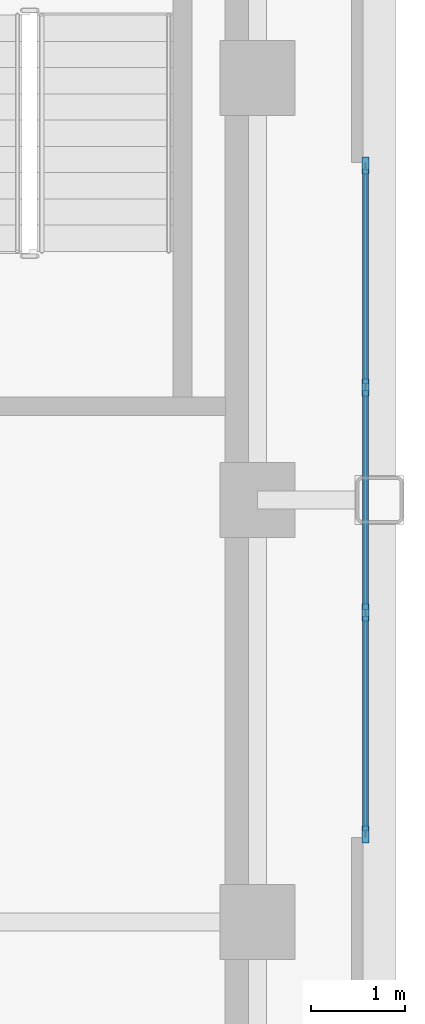
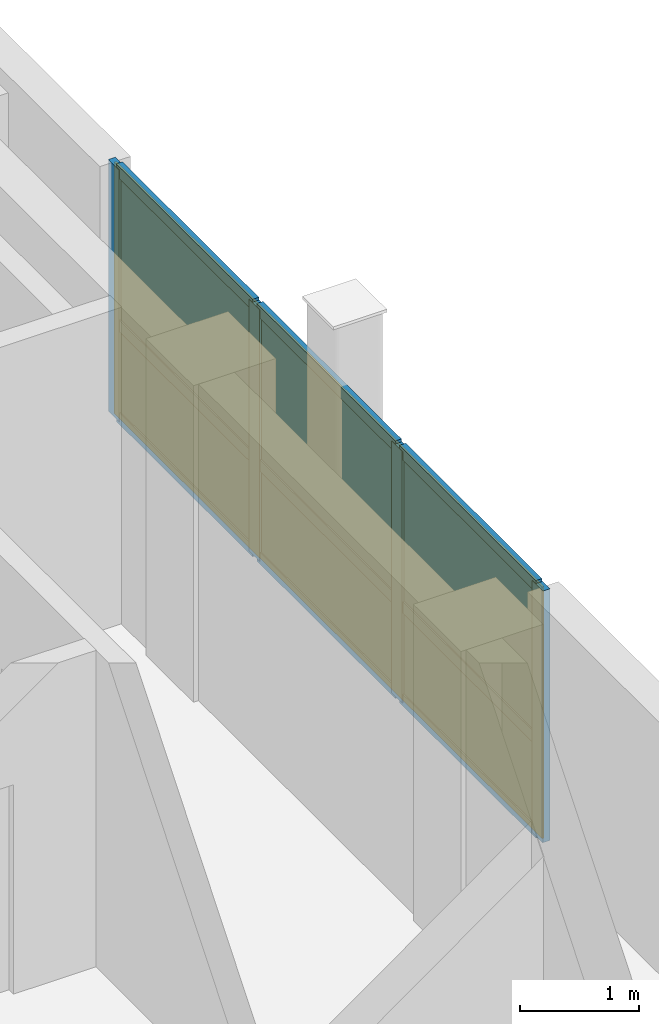
# One storey, part 10 of 15: 13 members, 6 plates, 1 curtain wall.
"""IFC4 building model written with IfcOpenShell, lengths in metres."""

import ifcopenshell
import ifcopenshell.guid

model = None  # the IFC model being written
_history = None  # IfcOwnerHistory: only IFC2X3 demands one
_inside = {}  # id of a spatial element -> (the spatial element, [elements in it])
_under = {}  # id of a project, library or spatial element -> (it, [spatial elements below it])
_declared = {}  # id of a project -> (the project, [libraries it declares])
_typed = {}  # id of a type object -> (the type object, [elements of that type])
_made_of = {}  # id of a material, layer set ... -> (it, [elements and type objects made of it])


def new_model(schema):
    """Start an empty IFC model of exactly this schema.

    Asked for "IFC4X3", IfcOpenShell would pick the latest addendum, in which some entities
    have other attributes; the version numbers below select the first issue.
    IFC2X3 requires an IfcOwnerHistory on every rooted entity: one is made here for all.
    """
    global model, _history
    if schema == "IFC4X3":
        model = ifcopenshell.file(schema_version=(4, 3, 0, 0))
    else:
        model = ifcopenshell.file(schema=schema)
    _inside.clear()
    _under.clear()
    _declared.clear()
    _typed.clear()
    _made_of.clear()
    _history = None
    if model.schema == "IFC2X3":
        org = make("IfcOrganization", Name="unknown")
        user = make(
            "IfcPersonAndOrganization",
            ThePerson=make("IfcPerson", FamilyName="unknown"),
            TheOrganization=org,
        )
        app = make(
            "IfcApplication",
            ApplicationDeveloper=org,
            Version="unknown",
            ApplicationFullName="unknown",
            ApplicationIdentifier="unknown",
        )
        _history = make(
            "IfcOwnerHistory",
            OwningUser=user,
            OwningApplication=app,
            ChangeAction="ADDED",
            CreationDate=0,
        )
    return model


def make(cls, **values):
    """One entity of the class cls with the attributes given. An attribute that is None is left unset."""
    return model.create_entity(
        cls, **{name: value for name, value in values.items() if value is not None}
    )


def rooted(cls, **values):
    """An entity with a GlobalId (a new one), such as an element, a storey or a relation."""
    return make(cls, GlobalId=ifcopenshell.guid.new(), OwnerHistory=_history, **values)


def si_unit(unit_type, name, prefix=None):
    """IfcSIUnit, for example si_unit("LENGTHUNIT", "METRE", prefix="MILLI")."""
    return make("IfcSIUnit", UnitType=unit_type, Prefix=prefix, Name=name)


def assignment(units):
    """IfcUnitAssignment: the units of a project."""
    return None if units is None else make("IfcUnitAssignment", Units=units)


def point(xyz):
    """IfcCartesianPoint."""
    return None if xyz is None else make("IfcCartesianPoint", Coordinates=xyz)


def direction(xyz):
    """IfcDirection."""
    return None if xyz is None else make("IfcDirection", DirectionRatios=xyz)


def frame(location, z_axis=None, x_axis=None):
    """IfcAxis2Placement3D, a coordinate frame: its origin and axes. An axis left out is left unset."""
    return make(
        "IfcAxis2Placement3D",
        Location=point(location),
        Axis=direction(z_axis),
        RefDirection=direction(x_axis),
    )


def frame_2d(location, x_axis=None):
    """IfcAxis2Placement2D, a coordinate frame in the plane: its origin and x axis."""
    return make(
        "IfcAxis2Placement2D", Location=point(location), RefDirection=direction(x_axis)
    )


def origin():
    """The frame at (0, 0, 0) with its axes left unset."""
    return frame((0.0, 0.0, 0.0))


def origin_2d():
    """The frame at (0, 0) in the plane with its x axis left unset."""
    return frame_2d((0.0, 0.0))


def place(relative_to, where):
    """IfcLocalPlacement: puts the frame where relative to a parent placement (None: the world)."""
    return make(
        "IfcLocalPlacement", PlacementRelTo=relative_to, RelativePlacement=where
    )


def context(
    kind, dimensions, precision=None, world=None, true_north=None, identifier=None
):
    """IfcGeometricRepresentationContext, for example the 3D "Model" context."""
    return make(
        "IfcGeometricRepresentationContext",
        ContextIdentifier=identifier,
        ContextType=kind,
        CoordinateSpaceDimension=dimensions,
        Precision=precision,
        WorldCoordinateSystem=world,
        TrueNorth=true_north,
    )


def subcontext(parent, identifier, kind, view, scale=None):
    """IfcGeometricRepresentationSubContext, for example "Body" below "Model"."""
    return make(
        "IfcGeometricRepresentationSubContext",
        ContextIdentifier=identifier,
        ContextType=kind,
        ParentContext=parent,
        TargetScale=scale,
        TargetView=view,
    )


def project(units=None, contexts=None):
    """IfcProject with its units and contexts."""
    return rooted(
        "IfcProject",
        Name="project",
        RepresentationContexts=contexts,
        UnitsInContext=assignment(units),
    )


def spatial(cls, under=None, at=None, **own):
    """A site, building, storey or space (cls), placed at a placement, below another one or the project."""
    s = rooted(cls, ObjectPlacement=at, **own)
    if under is not None:
        _under.setdefault(under.id(), (under, []))[1].append(s)
    return s


def profile(cls, at=None, kind="AREA", **sizes):
    """A parametric profile (cls). Its sizes go by their IFC names, for example OverallWidth=200.0."""
    return make(cls, ProfileType=kind, Position=at, **sizes)


def rectangle(**sizes):
    """IfcRectangleProfileDef."""
    return profile("IfcRectangleProfileDef", **sizes)


def extrude(swept, where, along, depth):
    """IfcExtrudedAreaSolid: the profile swept, set in the frame where, extruded along a direction by depth."""
    return make(
        "IfcExtrudedAreaSolid",
        SweptArea=swept,
        Position=where,
        ExtrudedDirection=direction(along),
        Depth=depth,
    )


def shape(context_of_items, identifier, shape_type, items):
    """IfcShapeRepresentation: the items that make up one representation, for example the "Body"."""
    return make(
        "IfcShapeRepresentation",
        ContextOfItems=context_of_items,
        RepresentationIdentifier=identifier,
        RepresentationType=shape_type,
        Items=items,
    )


def source(mapping_origin, context_of_items, identifier, shape_type, items):
    """IfcRepresentationMap: a shape defined once, which mapped items show again and again."""
    return make(
        "IfcRepresentationMap",
        MappingOrigin=mapping_origin,
        MappedRepresentation=shape(context_of_items, identifier, shape_type, items),
    )


def transform(
    local_origin,
    x_axis=None,
    y_axis=None,
    z_axis=None,
    scale=None,
    scale2=None,
    scale3=None,
    uniform=True,
):
    """IfcCartesianTransformationOperator3D, or its non-uniform kind. x_axis, y_axis, z_axis: its Axis1, 2, 3."""
    if uniform:
        return make(
            "IfcCartesianTransformationOperator3D",
            Axis1=direction(x_axis),
            Axis2=direction(y_axis),
            LocalOrigin=point(local_origin),
            Scale=scale,
            Axis3=direction(z_axis),
        )
    return make(
        "IfcCartesianTransformationOperator3DnonUniform",
        Axis1=direction(x_axis),
        Axis2=direction(y_axis),
        LocalOrigin=point(local_origin),
        Scale=scale,
        Axis3=direction(z_axis),
        Scale2=scale2,
        Scale3=scale3,
    )


def mapped(mapping_source, mapping_target):
    """IfcMappedItem: shows the shape of a source again, moved by a transform."""
    return make(
        "IfcMappedItem", MappingSource=mapping_source, MappingTarget=mapping_target
    )


def material(Name=None, Category=None):
    """IfcMaterial."""
    return make("IfcMaterial", Name=Name, Category=Category)


def layer(
    of_material, thickness, ventilated=None, Name=None, Category=None, Priority=None
):
    """IfcMaterialLayer: one layer of a wall or slab, of a material (None: an air gap)."""
    return make(
        "IfcMaterialLayer",
        Material=of_material,
        LayerThickness=thickness,
        IsVentilated=ventilated,
        Name=Name,
        Category=Category,
        Priority=Priority,
    )


def layer_set(layers, Name=None):
    """IfcMaterialLayerSet."""
    return make("IfcMaterialLayerSet", MaterialLayers=layers, LayerSetName=Name)


def material_profile(
    of_material, cross_section, Name=None, Category=None, Priority=None
):
    """IfcMaterialProfile: a cross section and its material."""
    return make(
        "IfcMaterialProfile",
        Name=Name,
        Material=of_material,
        Profile=cross_section,
        Priority=Priority,
        Category=Category,
    )


def profile_set(profiles, Name=None, composite=None):
    """IfcMaterialProfileSet."""
    return make(
        "IfcMaterialProfileSet",
        Name=Name,
        MaterialProfiles=profiles,
        CompositeProfile=composite,
    )


def made_of(thing, what):
    """Note that an element or type object is made of a material, layer set ...; save() writes the relation."""
    if what is not None:
        _made_of.setdefault(what.id(), (what, []))[1].append(thing)
    return thing


def type_object(cls, material=None, **own):
    """A type object (cls), such as IfcWallType, which elements share."""
    return made_of(rooted(cls, **own), material)


def type_shapes(of_type, sources):
    """Give a type object the sources (RepresentationMaps) that its elements show as mapped items."""
    of_type.RepresentationMaps = sources


def element(
    cls,
    number,
    at=None,
    inside=None,
    cuts=None,
    type_object=None,
    material=None,
    context=None,
    identifier="Body",
    shape_type=None,
    held_by="IfcProductDefinitionShape",
    body=None,
    shapes=None,
    **own,
):
    """One element of the class cls, such as IfcWall. Its Tag is "e" and its number.

    at: its placement. inside: the storey or other place that contains it. cuts: it is an
    opening in that element (IfcRelVoidsElement). A single representation is given by context,
    identifier, shape_type and body (its items); several are given by shapes. held_by: the class
    of the entity that holds the representations. save() writes the other relations.
    """
    e = rooted(cls, Tag="e%d" % number, ObjectPlacement=at, **own)
    if body is not None:
        shapes = [shape(context, identifier, shape_type, body)]
    if shapes is not None:
        e.Representation = make(held_by, Representations=shapes)
    if inside is not None:
        _inside.setdefault(inside.id(), (inside, []))[1].append(e)
    if cuts is not None:
        rooted(
            "IfcRelVoidsElement", RelatingBuildingElement=cuts, RelatedOpeningElement=e
        )
    if type_object is not None:
        _typed.setdefault(type_object.id(), (type_object, []))[1].append(e)
    return made_of(e, material)


def aggregate(whole, parts):
    """IfcRelAggregates: a whole, such as a stair, and the parts it consists of."""
    return rooted("IfcRelAggregates", RelatingObject=whole, RelatedObjects=parts)


def save(model, path):
    """Write the relations noted so far, then the file.

    IfcRelAggregates (storeys below a building ...), IfcRelContainedInSpatialStructure (elements
    in a storey), IfcRelDefinesByType, IfcRelAssociatesMaterial and IfcRelDeclares: one each for
    every whole, place, type object, material and project.
    """
    for whole, parts in _under.values():
        aggregate(whole, parts)
    for where, things in _inside.values():
        rooted(
            "IfcRelContainedInSpatialStructure",
            RelatedElements=things,
            RelatingStructure=where,
        )
    for kind, things in _typed.values():
        rooted("IfcRelDefinesByType", RelatedObjects=things, RelatingType=kind)
    for what, things in _made_of.values():
        rooted("IfcRelAssociatesMaterial", RelatedObjects=things, RelatingMaterial=what)
    for by, libraries in _declared.values():
        rooted("IfcRelDeclares", RelatingContext=by, RelatedDefinitions=libraries)
    model.write(path)


model = new_model("IFC4")

# Units and contexts
model_context = context("Model", 3, precision=1e-05, world=origin(), true_north=direction((0.0, 1.0)))
body_context = subcontext(model_context, "Body", "Model", "MODEL_VIEW")
ifc_project = project(units=[si_unit("LENGTHUNIT", "METRE"), si_unit("AREAUNIT", "SQUARE_METRE"), si_unit("VOLUMEUNIT", "CUBIC_METRE"), si_unit("PLANEANGLEUNIT", "RADIAN"), si_unit("MASSUNIT", "GRAM", prefix="KILO")], contexts=[model_context])

# Member
ifc_material_1 = material(Name="Anodised aluminium 6063-T6", Category="aluminium")
ifc_material_profile_1 = material_profile(ifc_material_1, rectangle(XDim=0.070068359375, YDim=0.179931640625, at=origin_2d()), Name="ALU-MULL-70x180")
ifc_profile_set_1 = profile_set([ifc_material_profile_1], Name="Anodised aluminium 6063-T6")
member_type_1 = type_object("IfcMemberType", Name="CWM-5", PredefinedType="MULLION", material=ifc_profile_set_1)
site_placement = place(None, origin())
building_placement = place(site_placement, origin())
storey_placement = place(building_placement, frame((0.0, 0.0, 283.5)))
member_1_placement = place(storey_placement, frame((18.64990234375, -3.56494140625, 0.0), z_axis=(0.0, 0.0, 1.0), x_axis=(-1.0, 0.0, 0.0)))
member_1 = element("IfcMember", 1, at=member_1_placement, type_object=member_type_1, Name="CWS-5 mullion 1", PredefinedType="MULLION", context=body_context, shape_type="SweptSolid", body=[
    extrude(rectangle(XDim=0.070068359375, YDim=0.179931640625, at=origin_2d()), origin(), (0.0, 0.0, 1.0), 2.5849609375),
])

member_2_placement = place(storey_placement, frame((18.64990234375, -1.199951171875, 0.0), z_axis=(0.0, 0.0, 1.0), x_axis=(-1.0, 0.0, 0.0)))
member_2 = element("IfcMember", 2, at=member_2_placement, type_object=member_type_1, Name="CWS-5 mullion 2", PredefinedType="MULLION", context=body_context, shape_type="SweptSolid", body=[
    extrude(rectangle(XDim=0.070068359375, YDim=0.179931640625, at=origin_2d()), origin(), (0.0, 0.0, 1.0), 2.5849609375),
])

member_3_placement = place(storey_placement, frame((18.64990234375, 1.199951171875, 0.0), z_axis=(0.0, 0.0, 1.0), x_axis=(-1.0, 0.0, 0.0)))
member_3 = element("IfcMember", 3, at=member_3_placement, type_object=member_type_1, Name="CWS-5 mullion 3", PredefinedType="MULLION", context=body_context, shape_type="SweptSolid", body=[
    extrude(rectangle(XDim=0.070068359375, YDim=0.179931640625, at=origin_2d()), origin(), (0.0, 0.0, 1.0), 2.5849609375),
])

member_4_placement = place(storey_placement, frame((18.64990234375, 3.56494140625, 0.0), z_axis=(0.0, 0.0, 1.0), x_axis=(-1.0, 0.0, 0.0)))
member_4 = element("IfcMember", 4, at=member_4_placement, type_object=member_type_1, Name="CWS-5 mullion 4", PredefinedType="MULLION", context=body_context, shape_type="SweptSolid", body=[
    extrude(rectangle(XDim=0.070068359375, YDim=0.179931640625, at=origin_2d()), origin(), (0.0, 0.0, 1.0), 2.5849609375),
])

ifc_material_profile_2 = material_profile(ifc_material_1, rectangle(XDim=0.06005859375, YDim=0.1201171875, at=origin_2d()), Name="ALU-TRAN-60x120")
ifc_profile_set_2 = profile_set([ifc_material_profile_2], Name="Anodised aluminium 6063-T6")
member_type_2 = type_object("IfcMemberType", Name="CWT-5", PredefinedType="USERDEFINED", material=ifc_profile_set_2)
member_5_placement = place(storey_placement, frame((18.64990234375, -3.530029296875, 0.030029296875), z_axis=(0.0, 1.0, 0.0), x_axis=(-1.0, 0.0, 0.0)))
member_5 = element("IfcMember", 5, at=member_5_placement, type_object=member_type_2, Name="CWS-5 transom 1.1", ObjectType="TRANSOM", PredefinedType="USERDEFINED", context=body_context, shape_type="SweptSolid", body=[
    extrude(rectangle(XDim=0.06005859375, YDim=0.1201171875, at=origin_2d()), origin(), (0.0, 0.0, 1.0), 2.294921875),
])

member_6_placement = place(storey_placement, frame((18.64990234375, -3.530029296875, 0.982421875), z_axis=(0.0, 1.0, 0.0), x_axis=(-1.0, 0.0, 0.0)))
member_6 = element("IfcMember", 6, at=member_6_placement, type_object=member_type_2, Name="CWS-5 transom 1.2", ObjectType="TRANSOM", PredefinedType="USERDEFINED", context=body_context, shape_type="SweptSolid", body=[
    extrude(rectangle(XDim=0.06005859375, YDim=0.1201171875, at=origin_2d()), origin(), (0.0, 0.0, 1.0), 2.294921875),
])

member_7_placement = place(storey_placement, frame((18.64990234375, -3.530029296875, 2.554931640625), z_axis=(0.0, 1.0, 0.0), x_axis=(-1.0, 0.0, 0.0)))
member_7 = element("IfcMember", 7, at=member_7_placement, type_object=member_type_2, Name="CWS-5 transom 1.3", ObjectType="TRANSOM", PredefinedType="USERDEFINED", context=body_context, shape_type="SweptSolid", body=[
    extrude(rectangle(XDim=0.06005859375, YDim=0.1201171875, at=origin_2d()), origin(), (0.0, 0.0, 1.0), 2.294921875),
])

member_8_placement = place(storey_placement, frame((18.64990234375, -1.1650390625, 0.030029296875), z_axis=(0.0, 1.0, 0.0), x_axis=(-1.0, 0.0, 0.0)))
member_8 = element("IfcMember", 8, at=member_8_placement, type_object=member_type_2, Name="CWS-5 transom 2.1", ObjectType="TRANSOM", PredefinedType="USERDEFINED", context=body_context, shape_type="SweptSolid", body=[
    extrude(rectangle(XDim=0.06005859375, YDim=0.1201171875, at=origin_2d()), origin(), (0.0, 0.0, 1.0), 2.330078125),
])

member_9_placement = place(storey_placement, frame((18.64990234375, -1.1650390625, 0.982421875), z_axis=(0.0, 1.0, 0.0), x_axis=(-1.0, 0.0, 0.0)))
member_9 = element("IfcMember", 9, at=member_9_placement, type_object=member_type_2, Name="CWS-5 transom 2.2", ObjectType="TRANSOM", PredefinedType="USERDEFINED", context=body_context, shape_type="SweptSolid", body=[
    extrude(rectangle(XDim=0.06005859375, YDim=0.1201171875, at=origin_2d()), origin(), (0.0, 0.0, 1.0), 2.330078125),
])

member_10_placement = place(storey_placement, frame((18.64990234375, -1.1650390625, 2.554931640625), z_axis=(0.0, 1.0, 0.0), x_axis=(-1.0, 0.0, 0.0)))
member_10 = element("IfcMember", 10, at=member_10_placement, type_object=member_type_2, Name="CWS-5 transom 2.3", ObjectType="TRANSOM", PredefinedType="USERDEFINED", context=body_context, shape_type="SweptSolid", body=[
    extrude(rectangle(XDim=0.06005859375, YDim=0.1201171875, at=origin_2d()), origin(), (0.0, 0.0, 1.0), 2.330078125),
])

member_11_placement = place(storey_placement, frame((18.64990234375, 1.235107421875, 0.030029296875), z_axis=(0.0, 1.0, 0.0), x_axis=(-1.0, 0.0, 0.0)))
member_11 = element("IfcMember", 11, at=member_11_placement, type_object=member_type_2, Name="CWS-5 transom 3.1", ObjectType="TRANSOM", PredefinedType="USERDEFINED", context=body_context, shape_type="SweptSolid", body=[
    extrude(rectangle(XDim=0.06005859375, YDim=0.1201171875, at=origin_2d()), origin(), (0.0, 0.0, 1.0), 2.294921875),
])

member_12_placement = place(storey_placement, frame((18.64990234375, 1.235107421875, 0.982421875), z_axis=(0.0, 1.0, 0.0), x_axis=(-1.0, 0.0, 0.0)))
member_12 = element("IfcMember", 12, at=member_12_placement, type_object=member_type_2, Name="CWS-5 transom 3.2", ObjectType="TRANSOM", PredefinedType="USERDEFINED", context=body_context, shape_type="SweptSolid", body=[
    extrude(rectangle(XDim=0.06005859375, YDim=0.1201171875, at=origin_2d()), origin(), (0.0, 0.0, 1.0), 2.294921875),
])

member_13_placement = place(storey_placement, frame((18.64990234375, 1.235107421875, 2.554931640625), z_axis=(0.0, 1.0, 0.0), x_axis=(-1.0, 0.0, 0.0)))
member_13 = element("IfcMember", 13, at=member_13_placement, type_object=member_type_2, Name="CWS-5 transom 3.3", ObjectType="TRANSOM", PredefinedType="USERDEFINED", context=body_context, shape_type="SweptSolid", body=[
    extrude(rectangle(XDim=0.06005859375, YDim=0.1201171875, at=origin_2d()), origin(), (0.0, 0.0, 1.0), 2.294921875),
])

# Plate
ifc_material_2 = material(Name="Insulated solar-control glass", Category="glass")
ifc_layer_1 = layer(ifc_material_2, 0.033935546875, Name="CWP-5")
ifc_layer_set_1 = layer_set([ifc_layer_1], Name="Insulated solar-control glass")
plate_type = type_object("IfcPlateType", Name="CWP-5", PredefinedType="CURTAIN_PANEL", material=ifc_layer_set_1)
shared_shape_1 = source(origin(), body_context, "Body", "SweptSolid", [
    extrude(rectangle(XDim=2.294921875, YDim=0.033935546875, at=origin_2d()), origin(), (0.0, 0.0, 1.0), 0.892333984375),
])
plate_1_placement = place(storey_placement, frame((18.64990234375, -2.382568359375, 0.06005859375), z_axis=(0.0, 0.0, 1.0), x_axis=(0.0, 1.0, 0.0)))
plate_1 = element("IfcPlate", 14, at=plate_1_placement, type_object=plate_type, Name="CWS-5 panel 1.1", PredefinedType="CURTAIN_PANEL", context=body_context, shape_type="MappedRepresentation", body=[
    mapped(shared_shape_1, transform((0.0, 0.0, 0.0), scale=1.0)),
])

plate_2_placement = place(storey_placement, frame((18.64990234375, 2.382568359375, 0.06005859375), z_axis=(0.0, 0.0, 1.0), x_axis=(0.0, 1.0, 0.0)))
plate_2 = element("IfcPlate", 15, at=plate_2_placement, type_object=plate_type, Name="CWS-5 panel 3.1", PredefinedType="CURTAIN_PANEL", context=body_context, shape_type="MappedRepresentation", body=[
    mapped(shared_shape_1, transform((0.0, 0.0, 0.0), scale=1.0)),
])

shared_shape_2 = source(origin(), body_context, "Body", "SweptSolid", [
    extrude(rectangle(XDim=2.294921875, YDim=0.033935546875, at=origin_2d()), origin(), (0.0, 0.0, 1.0), 1.5126953125),
])
plate_3_placement = place(storey_placement, frame((18.64990234375, -2.382568359375, 1.01220703125), z_axis=(0.0, 0.0, 1.0), x_axis=(0.0, 1.0, 0.0)))
plate_3 = element("IfcPlate", 16, at=plate_3_placement, type_object=plate_type, Name="CWS-5 panel 1.2", PredefinedType="CURTAIN_PANEL", context=body_context, shape_type="MappedRepresentation", body=[
    mapped(shared_shape_2, transform((0.0, 0.0, 0.0), scale=1.0)),
])

plate_4_placement = place(storey_placement, frame((18.64990234375, 2.382568359375, 1.01220703125), z_axis=(0.0, 0.0, 1.0), x_axis=(0.0, 1.0, 0.0)))
plate_4 = element("IfcPlate", 17, at=plate_4_placement, type_object=plate_type, Name="CWS-5 panel 3.2", PredefinedType="CURTAIN_PANEL", context=body_context, shape_type="MappedRepresentation", body=[
    mapped(shared_shape_2, transform((0.0, 0.0, 0.0), scale=1.0)),
])

shared_shape_3 = source(origin(), body_context, "Body", "SweptSolid", [
    extrude(rectangle(XDim=2.330078125, YDim=0.033935546875, at=origin_2d()), origin(), (0.0, 0.0, 1.0), 0.892333984375),
])
plate_5_placement = place(storey_placement, frame((18.64990234375, 0.0, 0.06005859375), z_axis=(0.0, 0.0, 1.0), x_axis=(0.0, 1.0, 0.0)))
plate_5 = element("IfcPlate", 18, at=plate_5_placement, type_object=plate_type, Name="CWS-5 panel 2.1", PredefinedType="CURTAIN_PANEL", context=body_context, shape_type="MappedRepresentation", body=[
    mapped(shared_shape_3, transform((0.0, 0.0, 0.0), scale=1.0)),
])

shared_shape_4 = source(origin(), body_context, "Body", "SweptSolid", [
    extrude(rectangle(XDim=2.330078125, YDim=0.033935546875, at=origin_2d()), origin(), (0.0, 0.0, 1.0), 1.5126953125),
])
type_shapes(plate_type, [shared_shape_1, shared_shape_2, shared_shape_3, shared_shape_4])
plate_6_placement = place(storey_placement, frame((18.64990234375, 0.0, 1.01220703125), z_axis=(0.0, 0.0, 1.0), x_axis=(0.0, 1.0, 0.0)))
plate_6 = element("IfcPlate", 19, at=plate_6_placement, type_object=plate_type, Name="CWS-5 panel 2.2", PredefinedType="CURTAIN_PANEL", context=body_context, shape_type="MappedRepresentation", body=[
    mapped(shared_shape_4, transform((0.0, 0.0, 0.0), scale=1.0)),
])

# Site, building, storey
site = spatial("IfcSite", under=ifc_project, at=site_placement, CompositionType="ELEMENT")
building = spatial("IfcBuilding", under=site, at=building_placement, Name="Nuvemarco Arch Tower", CompositionType="ELEMENT")
storey = spatial("IfcBuildingStorey", under=building, at=storey_placement, Name="L75", CompositionType="ELEMENT", Elevation=283.5)

# Curtain wall
ifc_layer_2 = layer(ifc_material_2, 0.179931640625, Name="CW-SYS-5")
ifc_layer_set_2 = layer_set([ifc_layer_2], Name="Insulated solar-control glass")
curtain_wall_type = type_object("IfcCurtainWallType", Name="CW-SYS-5", PredefinedType="NOTDEFINED", material=ifc_layer_set_2)
curtain_wall_placement = place(storey_placement, frame((18.64990234375, -3.60009765625, 0.0), z_axis=(0.0, 0.0, 1.0), x_axis=(0.0, 1.0, 0.0)))
curtain_wall = element("IfcCurtainWall", 20, at=curtain_wall_placement, inside=storey, type_object=curtain_wall_type, Name="L75 curtain wall CWS-5", PredefinedType="NOTDEFINED", context=body_context, shape_type="SweptSolid", body=[
    extrude(rectangle(XDim=7.2001953125, YDim=0.02001953125, at=frame_2d((3.60009765625, 0.0))), origin(), (0.0, 0.0, 1.0), 2.5849609375),
])

aggregate(curtain_wall, [member_1, member_2, member_3, member_4, member_5, member_6, member_7, plate_1, plate_3, member_8, member_9, member_10, plate_5, plate_6, member_11, member_12, member_13, plate_2, plate_4])

save(model, "model.ifc")
